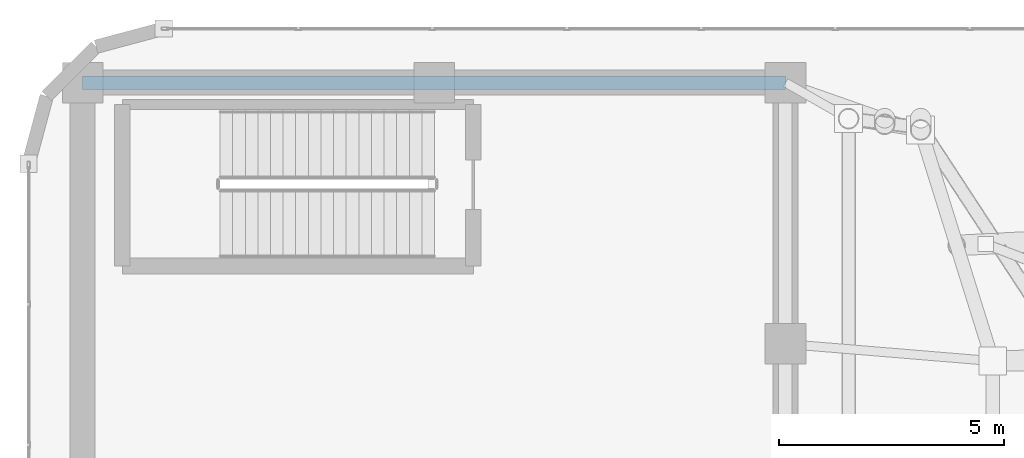
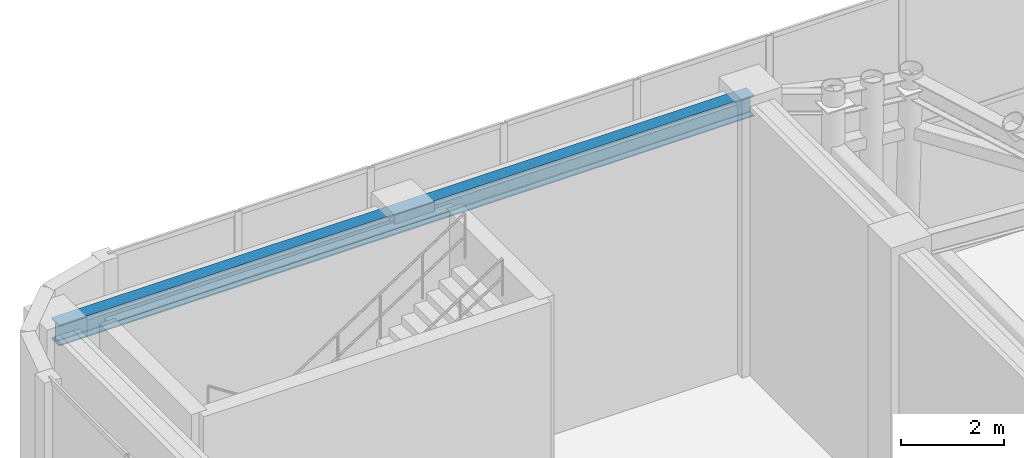
# One storey, part 13 of 19: 1 beam.
"""IFC4 building model written with IfcOpenShell, lengths in metres."""

from ifc_helpers import new_model, si_unit, direction, frame, origin, origin_2d, place, context, subcontext, project, spatial, i_section, extrude, material, material_profile, profile_set, type_object, element, save


model = new_model("IFC4")

# Units and contexts
model_context = context("Model", 3, precision=1e-05, world=origin(), true_north=direction((0.0, 1.0)))
body_context = subcontext(model_context, "Body", "Model", "MODEL_VIEW")
ifc_project = project(units=[si_unit("LENGTHUNIT", "METRE"), si_unit("AREAUNIT", "SQUARE_METRE"), si_unit("VOLUMEUNIT", "CUBIC_METRE"), si_unit("PLANEANGLEUNIT", "RADIAN"), si_unit("MASSUNIT", "GRAM", prefix="KILO")], contexts=[model_context])

# Site, building, storey
site_placement = place(None, origin())
site = spatial("IfcSite", under=ifc_project, at=site_placement, CompositionType="ELEMENT")
building_placement = place(site_placement, origin())
building = spatial("IfcBuilding", under=site, at=building_placement, Name="An Khanh Terracotta Commons", CompositionType="ELEMENT")
storey_placement = place(building_placement, frame((0.0, 0.0, 328.800048828125)))
storey = spatial("IfcBuildingStorey", under=building, at=storey_placement, Name="L82 Crown Faceted Taper", CompositionType="ELEMENT", Elevation=328.800048828125)

# Beam
ifc_material = material(Name="Steel S355J2", Category="steel")
ifc_material_profile = material_profile(ifc_material, i_section(OverallWidth=0.300048828125, OverallDepth=0.5, WebThickness=0.014404296875, FlangeThickness=0.028076171875, FilletRadius=0.027099609375, at=origin_2d()), Name="HEB500")
ifc_profile_set = profile_set([ifc_material_profile], Name="Steel S355J2")
beam_type = type_object("IfcBeamType", Name="BM-HEB500", PredefinedType="BEAM", material=ifc_profile_set)
beam_placement = place(storey_placement, frame((21.60009765625, 33.60009765625, 6.1298828125), z_axis=(1.0, 0.0, 0.0), x_axis=(0.0, 1.0, 0.0)))
element("IfcBeam", 1, at=beam_placement, inside=storey, type_object=beam_type, Name="L82 Crown Faceted Taper Core North Coupling Girder", PredefinedType="BEAM", context=body_context, shape_type="SweptSolid", body=[
    extrude(i_section(OverallWidth=0.300048828125, OverallDepth=0.5, WebThickness=0.014404296875, FlangeThickness=0.028076171875, FilletRadius=0.027099609375, at=origin_2d()), origin(), (0.0, 0.0, 1.0), 15.599853515625),
])

save(model, "model.ifc")
